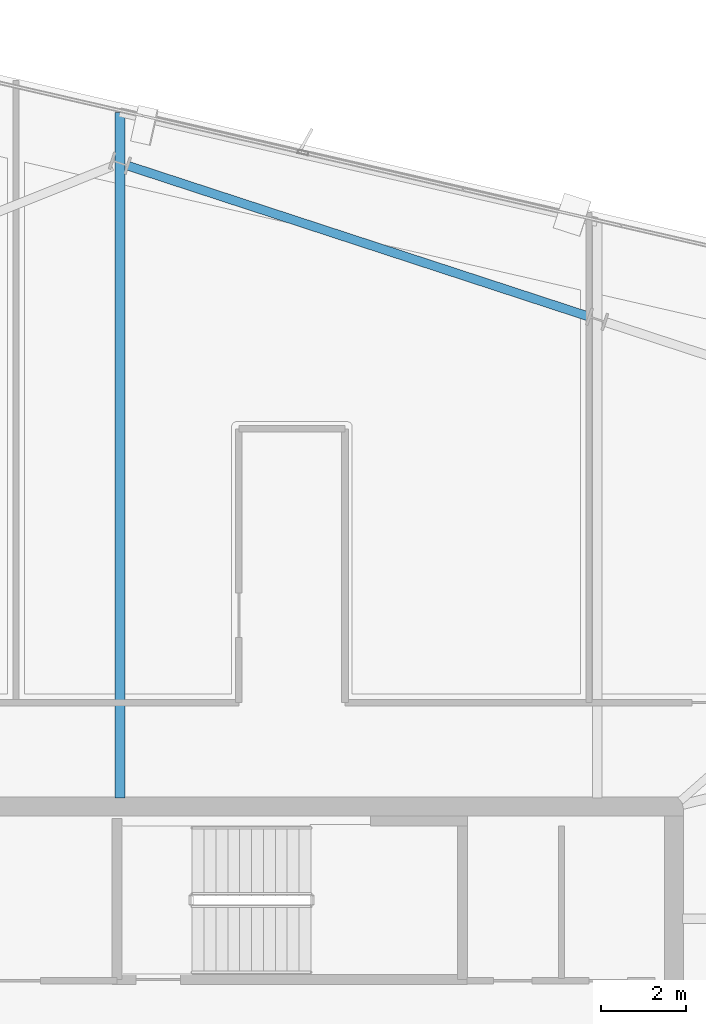
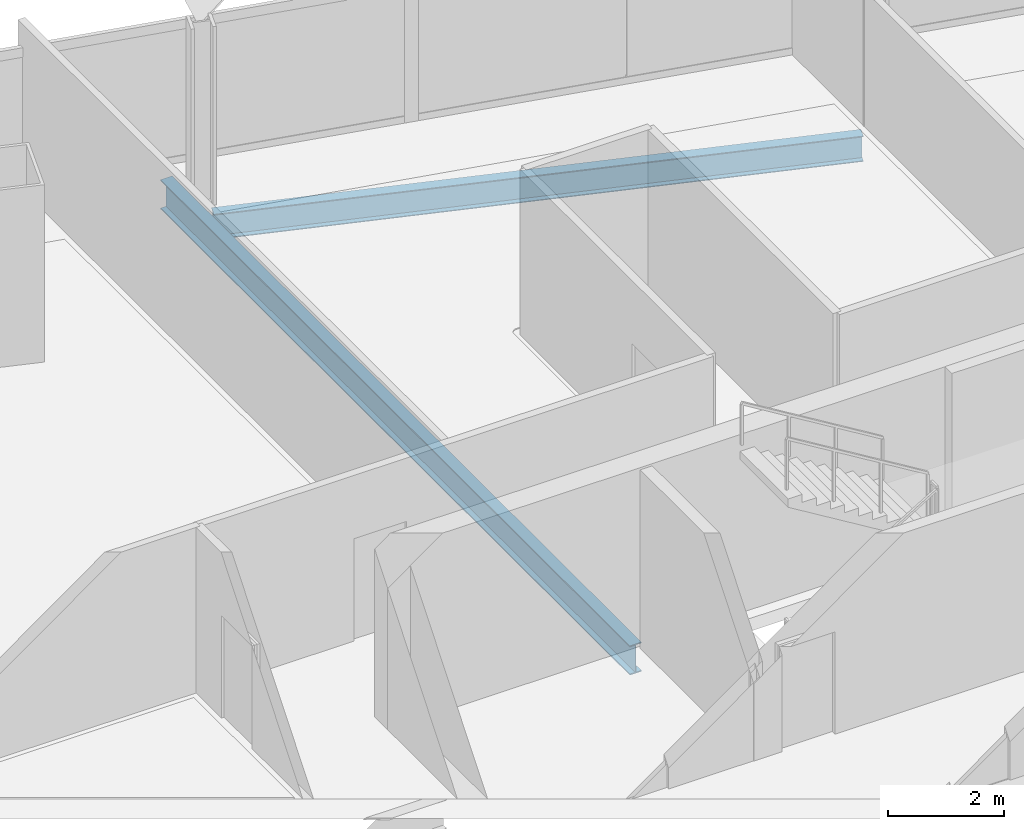
# One storey, part 14 of 28: 2 beams.
"""IFC4 building model written with IfcOpenShell, lengths in metres."""

from ifc_helpers import new_model, si_unit, direction, frame, origin, origin_2d, place, context, subcontext, project, spatial, i_section, extrude, material, material_profile, profile_set, type_object, element, save


model = new_model("IFC4")

# Units and contexts
model_context = context("Model", 3, precision=1e-05, world=origin(), true_north=direction((0.0, 1.0)))
body_context = subcontext(model_context, "Body", "Model", "MODEL_VIEW")
ifc_project = project(units=[si_unit("LENGTHUNIT", "METRE"), si_unit("AREAUNIT", "SQUARE_METRE"), si_unit("VOLUMEUNIT", "CUBIC_METRE"), si_unit("PLANEANGLEUNIT", "RADIAN"), si_unit("MASSUNIT", "GRAM", prefix="KILO")], contexts=[model_context])

# Site, building, storey
site_placement = place(None, origin())
site = spatial("IfcSite", under=ifc_project, at=site_placement, CompositionType="ELEMENT")
building_placement = place(site_placement, origin())
building = spatial("IfcBuilding", under=site, at=building_placement, Name="Haldenkirk Collegiate Tower", CompositionType="ELEMENT")
storey_placement = place(building_placement, frame((0.0, 0.0, 286.199951171875)))
storey = spatial("IfcBuildingStorey", under=building, at=storey_placement, Name="L72", CompositionType="ELEMENT", Elevation=286.199951171875)

# Beams
ifc_material = material(Name="Steel ASTM A992 Grade 50", Category="steel")
ifc_material_profile_1 = material_profile(ifc_material, i_section(OverallWidth=0.22998046875, OverallDepth=0.616943359375, WebThickness=0.01318359375, FlangeThickness=0.022216796875, at=origin_2d()), Name="W24X94")
ifc_profile_set_1 = profile_set([ifc_material_profile_1], Name="Steel ASTM A992 Grade 50")
beam_type_1 = type_object("IfcBeamType", Name="BM-GIRDER-W24X94", PredefinedType="BEAM", material=ifc_profile_set_1)
beam_1_placement = place(storey_placement, frame((31.949462890625, 50.357177734375, -0.578369140625), z_axis=(0.0, -1.0, 0.0), x_axis=(1.0, 0.0, 0.0)))
element("IfcBeam", 1, at=beam_1_placement, inside=storey, type_object=beam_type_1, Name="L72 primary floor girder 10", PredefinedType="BEAM", context=body_context, shape_type="SweptSolid", body=[
    extrude(i_section(OverallWidth=0.22998046875, OverallDepth=0.616943359375, WebThickness=0.01318359375, FlangeThickness=0.022216796875, at=origin_2d()), origin(), (0.0, 0.0, 1.0), 16.152099609375),
])
ifc_material_profile_2 = material_profile(ifc_material, i_section(OverallWidth=0.2099609375, OverallDepth=0.537109375, WebThickness=0.010986328125, FlangeThickness=0.017333984375, at=origin_2d()), Name="W21X68")
ifc_profile_set_2 = profile_set([ifc_material_profile_2], Name="Steel ASTM A992 Grade 50")
beam_type_2 = type_object("IfcBeamType", Name="BM-SPANDREL-W21X68", PredefinedType="SPANDREL", material=ifc_profile_set_2)
beam_2_placement = place(storey_placement, frame((42.99755859375, 45.54296875, -0.538330078125), z_axis=(-0.950408846531, 0.311003254701, 0.0), x_axis=(-0.311003254701, -0.950408846531, 0.0)))
element("IfcBeam", 2, at=beam_2_placement, inside=storey, type_object=beam_type_2, Name="L72 perimeter spandrel beam 07", PredefinedType="SPANDREL", context=body_context, shape_type="SweptSolid", body=[
    extrude(i_section(OverallWidth=0.2099609375, OverallDepth=0.537109375, WebThickness=0.010986328125, FlangeThickness=0.017333984375, at=origin_2d()), origin(), (0.0, 0.0, 1.0), 11.421875),
])

save(model, "model.ifc")
